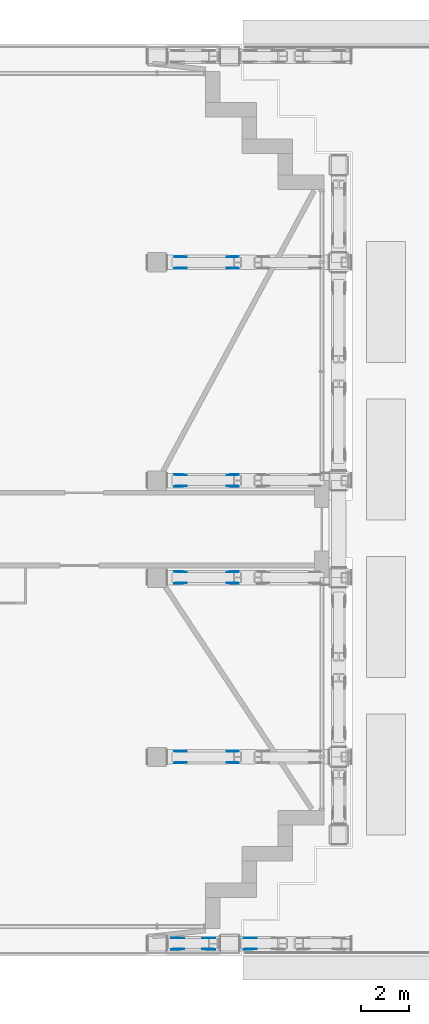
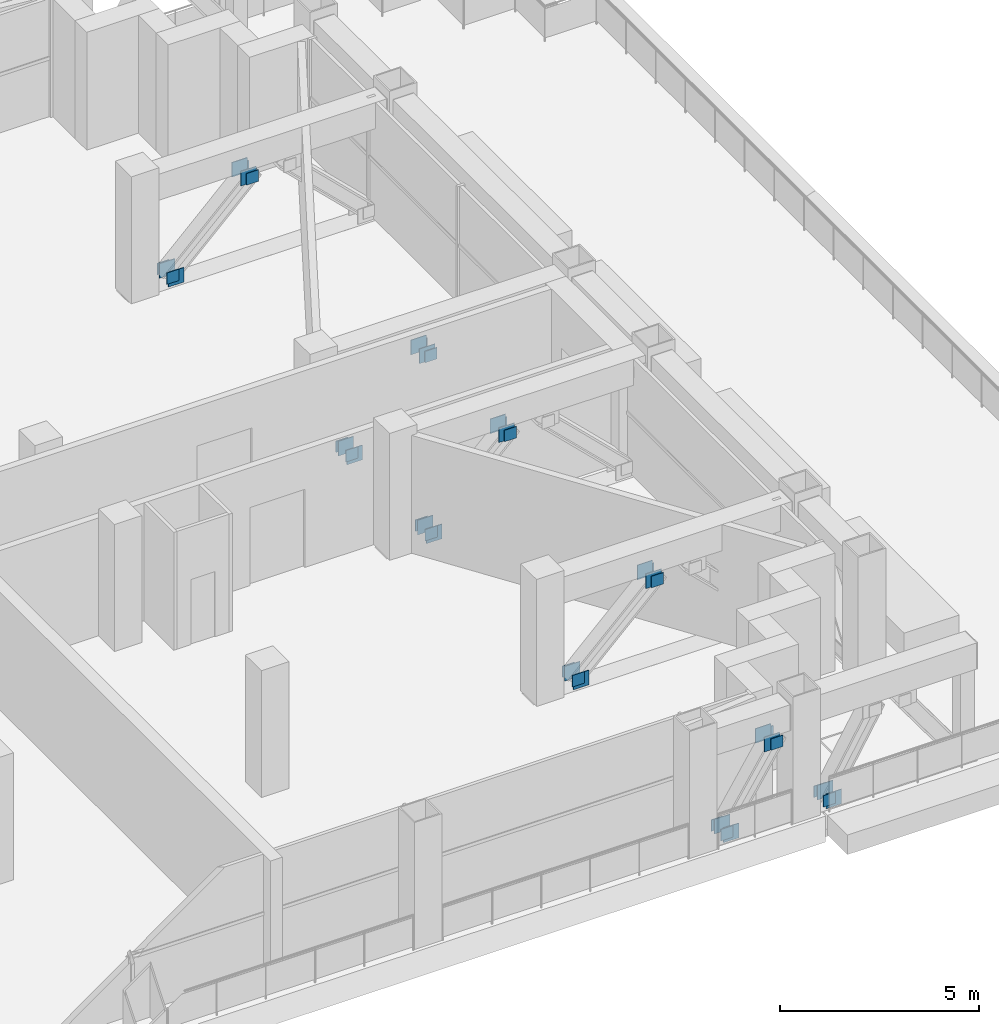
# One storey, part 18 of 25: 44 discrete accessories.
"""IFC4 building model written with IfcOpenShell, lengths in metres."""

from ifc_helpers import new_model, si_unit, direction, frame, origin, origin_2d, place, context, subcontext, project, spatial, rectangle, extrude, element, save


model = new_model("IFC4")

# Units and contexts
model_context = context("Model", 3, precision=1e-05, world=origin(), true_north=direction((0.0, 1.0)))
body_context = subcontext(model_context, "Body", "Model", "MODEL_VIEW")
ifc_project = project(units=[si_unit("LENGTHUNIT", "METRE"), si_unit("AREAUNIT", "SQUARE_METRE"), si_unit("VOLUMEUNIT", "CUBIC_METRE"), si_unit("PLANEANGLEUNIT", "RADIAN"), si_unit("MASSUNIT", "GRAM", prefix="KILO")], contexts=[model_context])

# Site, building, storey
site_placement = place(None, origin())
site = spatial("IfcSite", under=ifc_project, at=site_placement, CompositionType="ELEMENT")
building_placement = place(site_placement, origin())
building = spatial("IfcBuilding", under=site, at=building_placement, Name="Vidyagriha Tower", CompositionType="ELEMENT")
storey_placement = place(building_placement, frame((0.0, 0.0, 115.89990234375)))
storey = spatial("IfcBuildingStorey", under=building, at=storey_placement, Name="L29", CompositionType="ELEMENT", Elevation=115.89990234375)

# Discrete accessories
for number, where, name in (
    (1, (26.90478515625, -16.878173828125, 0.0), "Truss gusset plate ASTM A572 Grade 50 20mm"),
    (2, (26.90478515625, -17.32177734375, 0.0), "Truss gusset plate ASTM A572 Grade 50 20mm"),
    (3, (28.09521484375, -16.878173828125, 2.3701171875), "Truss gusset plate ASTM A572 Grade 50 20mm"),
    (4, (28.09521484375, -17.32177734375, 2.3701171875), "Truss gusset plate ASTM A572 Grade 50 20mm"),
    (5, (29.893798828125, -16.878173828125, 0.0), "Truss gusset plate ASTM A572 Grade 50 20mm"),
    (6, (29.893798828125, -17.32177734375, 0.0), "Truss gusset plate ASTM A572 Grade 50 20mm"),
    (7, (26.996337890625, -9.17822265625, 0.0), "Truss gusset plate ASTM A572 Grade 50 20mm"),
    (8, (26.996337890625, -9.621826171875, 0.0), "Truss gusset plate ASTM A572 Grade 50 20mm"),
    (9, (29.103759765625, -9.17822265625, 2.3701171875), "Truss gusset plate ASTM A572 Grade 50 20mm"),
    (10, (29.103759765625, -9.621826171875, 2.3701171875), "Truss gusset plate ASTM A572 Grade 50 20mm"),
    (11, (26.996337890625, -1.778076171875, 0.0), "Truss gusset plate ASTM A572 Grade 50 20mm"),
    (12, (26.996337890625, -2.221923828125, 0.0), "Truss gusset plate ASTM A572 Grade 50 20mm"),
    (13, (29.103759765625, -1.778076171875, 2.3701171875), "Truss gusset plate ASTM A572 Grade 50 20mm"),
    (14, (29.103759765625, -2.221923828125, 2.3701171875), "Truss gusset plate ASTM A572 Grade 50 20mm"),
    (15, (26.996337890625, 2.221923828125, 0.0), "Truss gusset plate ASTM A572 Grade 50 20mm"),
    (16, (26.996337890625, 1.778076171875, 0.0), "Truss gusset plate ASTM A572 Grade 50 20mm"),
    (17, (29.103759765625, 2.221923828125, 2.3701171875), "Truss gusset plate ASTM A572 Grade 50 20mm"),
    (18, (29.103759765625, 1.778076171875, 2.3701171875), "Truss gusset plate ASTM A572 Grade 50 20mm"),
    (19, (26.996337890625, 11.221923828125, 0.0), "Truss gusset plate ASTM A572 Grade 50 20mm"),
    (20, (26.996337890625, 10.778076171875, 0.0), "Truss gusset plate ASTM A572 Grade 50 20mm"),
    (21, (29.103759765625, 11.221923828125, 2.3701171875), "Truss gusset plate ASTM A572 Grade 50 20mm"),
    (22, (29.103759765625, 10.778076171875, 2.3701171875), "Truss gusset plate ASTM A572 Grade 50 20mm"),
):
    element("IfcDiscreteAccessory", number, at=place(storey_placement, frame(where)), inside=storey, Name=name, ObjectType="GUSSET PLATE", PredefinedType="USERDEFINED", context=body_context, shape_type="SweptSolid", body=[
        extrude(rectangle(XDim=0.449951171875, YDim=0.02001953125, at=origin_2d()), origin(), (0.0, 0.0, 1.0), 0.449951171875),
    ])
for number, where, z_axis, x_axis, name in (
    (23, (26.77392578125, -17.34228515625, 0.09765625), (0.0, 0.0, 1.0), (-1.0, 0.0, 0.0), "End plate ASTM A572 Grade 50 20mm"),
    (24, (26.77392578125, -16.857666015625, 0.09765625), (0.0, 0.0, 1.0), (-1.0, 0.0, 0.0), "End plate ASTM A572 Grade 50 20mm"),
):
    element("IfcDiscreteAccessory", number, at=place(storey_placement, frame(where, z_axis=z_axis, x_axis=x_axis)), inside=storey, Name=name, ObjectType="END PLATE", PredefinedType="USERDEFINED", context=body_context, shape_type="SweptSolid", body=[
        extrude(rectangle(XDim=0.35009765625, YDim=0.02001953125, at=origin_2d()), origin(), (0.0, 0.0, 1.0), 0.35009765625),
    ])
for number, where, name in (
    (25, (28.22607421875, -16.857666015625, 2.37255859375), "End plate ASTM A572 Grade 50 20mm"),
    (26, (28.22607421875, -17.34228515625, 2.37255859375), "End plate ASTM A572 Grade 50 20mm"),
):
    element("IfcDiscreteAccessory", number, at=place(storey_placement, frame(where)), inside=storey, Name=name, ObjectType="END PLATE", PredefinedType="USERDEFINED", context=body_context, shape_type="SweptSolid", body=[
        extrude(rectangle(XDim=0.35009765625, YDim=0.02001953125, at=origin_2d()), origin(), (0.0, 0.0, 1.0), 0.35009765625),
    ])
for number, where, z_axis, x_axis, name in (
    (27, (29.757080078125, -17.34228515625, 0.093505859375), (0.0, 0.0, 1.0), (-1.0, 0.0, 0.0), "End plate ASTM A572 Grade 50 20mm"),
    (28, (29.757080078125, -16.857666015625, 0.093505859375), (0.0, 0.0, 1.0), (-1.0, 0.0, 0.0), "End plate ASTM A572 Grade 50 20mm"),
    (29, (26.896728515625, -9.642333984375, 0.11376953125), (0.0, 0.0, 1.0), (-1.0, 0.0, 0.0), "End plate ASTM A572 Grade 50 20mm"),
    (30, (26.896728515625, -9.15771484375, 0.11376953125), (0.0, 0.0, 1.0), (-1.0, 0.0, 0.0), "End plate ASTM A572 Grade 50 20mm"),
):
    element("IfcDiscreteAccessory", number, at=place(storey_placement, frame(where, z_axis=z_axis, x_axis=x_axis)), inside=storey, Name=name, ObjectType="END PLATE", PredefinedType="USERDEFINED", context=body_context, shape_type="SweptSolid", body=[
        extrude(rectangle(XDim=0.35009765625, YDim=0.02001953125, at=origin_2d()), origin(), (0.0, 0.0, 1.0), 0.35009765625),
    ])
for number, where, name in (
    (31, (29.203125, -9.15771484375, 2.3564453125), "End plate ASTM A572 Grade 50 20mm"),
    (32, (29.203125, -9.642333984375, 2.3564453125), "End plate ASTM A572 Grade 50 20mm"),
):
    element("IfcDiscreteAccessory", number, at=place(storey_placement, frame(where)), inside=storey, Name=name, ObjectType="END PLATE", PredefinedType="USERDEFINED", context=body_context, shape_type="SweptSolid", body=[
        extrude(rectangle(XDim=0.35009765625, YDim=0.02001953125, at=origin_2d()), origin(), (0.0, 0.0, 1.0), 0.35009765625),
    ])
for number, where, z_axis, x_axis, name in (
    (33, (26.896728515625, -2.242431640625, 0.11376953125), (0.0, 0.0, 1.0), (-1.0, 0.0, 0.0), "End plate ASTM A572 Grade 50 20mm"),
    (34, (26.896728515625, -1.757568359375, 0.11376953125), (0.0, 0.0, 1.0), (-1.0, 0.0, 0.0), "End plate ASTM A572 Grade 50 20mm"),
):
    element("IfcDiscreteAccessory", number, at=place(storey_placement, frame(where, z_axis=z_axis, x_axis=x_axis)), inside=storey, Name=name, ObjectType="END PLATE", PredefinedType="USERDEFINED", context=body_context, shape_type="SweptSolid", body=[
        extrude(rectangle(XDim=0.35009765625, YDim=0.02001953125, at=origin_2d()), origin(), (0.0, 0.0, 1.0), 0.35009765625),
    ])
for number, where, name in (
    (35, (29.203125, -1.757568359375, 2.3564453125), "End plate ASTM A572 Grade 50 20mm"),
    (36, (29.203125, -2.242431640625, 2.3564453125), "End plate ASTM A572 Grade 50 20mm"),
):
    element("IfcDiscreteAccessory", number, at=place(storey_placement, frame(where)), inside=storey, Name=name, ObjectType="END PLATE", PredefinedType="USERDEFINED", context=body_context, shape_type="SweptSolid", body=[
        extrude(rectangle(XDim=0.35009765625, YDim=0.02001953125, at=origin_2d()), origin(), (0.0, 0.0, 1.0), 0.35009765625),
    ])
for number, where, z_axis, x_axis, name in (
    (37, (26.896728515625, 1.757568359375, 0.11376953125), (0.0, 0.0, 1.0), (-1.0, 0.0, 0.0), "End plate ASTM A572 Grade 50 20mm"),
    (38, (26.896728515625, 2.242431640625, 0.11376953125), (0.0, 0.0, 1.0), (-1.0, 0.0, 0.0), "End plate ASTM A572 Grade 50 20mm"),
):
    element("IfcDiscreteAccessory", number, at=place(storey_placement, frame(where, z_axis=z_axis, x_axis=x_axis)), inside=storey, Name=name, ObjectType="END PLATE", PredefinedType="USERDEFINED", context=body_context, shape_type="SweptSolid", body=[
        extrude(rectangle(XDim=0.35009765625, YDim=0.02001953125, at=origin_2d()), origin(), (0.0, 0.0, 1.0), 0.35009765625),
    ])
for number, where, name in (
    (39, (29.203125, 2.242431640625, 2.3564453125), "End plate ASTM A572 Grade 50 20mm"),
    (40, (29.203125, 1.757568359375, 2.3564453125), "End plate ASTM A572 Grade 50 20mm"),
):
    element("IfcDiscreteAccessory", number, at=place(storey_placement, frame(where)), inside=storey, Name=name, ObjectType="END PLATE", PredefinedType="USERDEFINED", context=body_context, shape_type="SweptSolid", body=[
        extrude(rectangle(XDim=0.35009765625, YDim=0.02001953125, at=origin_2d()), origin(), (0.0, 0.0, 1.0), 0.35009765625),
    ])
for number, where, z_axis, x_axis, name in (
    (41, (26.896728515625, 10.757568359375, 0.11376953125), (0.0, 0.0, 1.0), (-1.0, 0.0, 0.0), "End plate ASTM A572 Grade 50 20mm"),
    (42, (26.896728515625, 11.242431640625, 0.11376953125), (0.0, 0.0, 1.0), (-1.0, 0.0, 0.0), "End plate ASTM A572 Grade 50 20mm"),
):
    element("IfcDiscreteAccessory", number, at=place(storey_placement, frame(where, z_axis=z_axis, x_axis=x_axis)), inside=storey, Name=name, ObjectType="END PLATE", PredefinedType="USERDEFINED", context=body_context, shape_type="SweptSolid", body=[
        extrude(rectangle(XDim=0.35009765625, YDim=0.02001953125, at=origin_2d()), origin(), (0.0, 0.0, 1.0), 0.35009765625),
    ])
for number, where, name in (
    (43, (29.203125, 11.242431640625, 2.3564453125), "End plate ASTM A572 Grade 50 20mm"),
    (44, (29.203125, 10.757568359375, 2.3564453125), "End plate ASTM A572 Grade 50 20mm"),
):
    element("IfcDiscreteAccessory", number, at=place(storey_placement, frame(where)), inside=storey, Name=name, ObjectType="END PLATE", PredefinedType="USERDEFINED", context=body_context, shape_type="SweptSolid", body=[
        extrude(rectangle(XDim=0.35009765625, YDim=0.02001953125, at=origin_2d()), origin(), (0.0, 0.0, 1.0), 0.35009765625),
    ])

save(model, "model.ifc")
